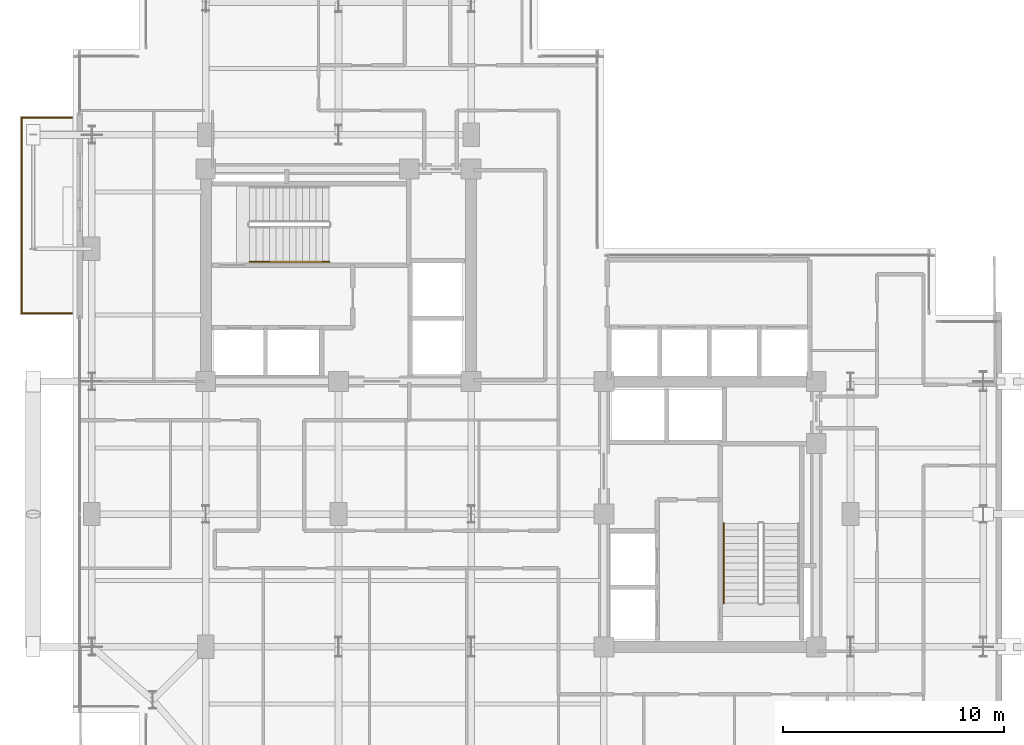
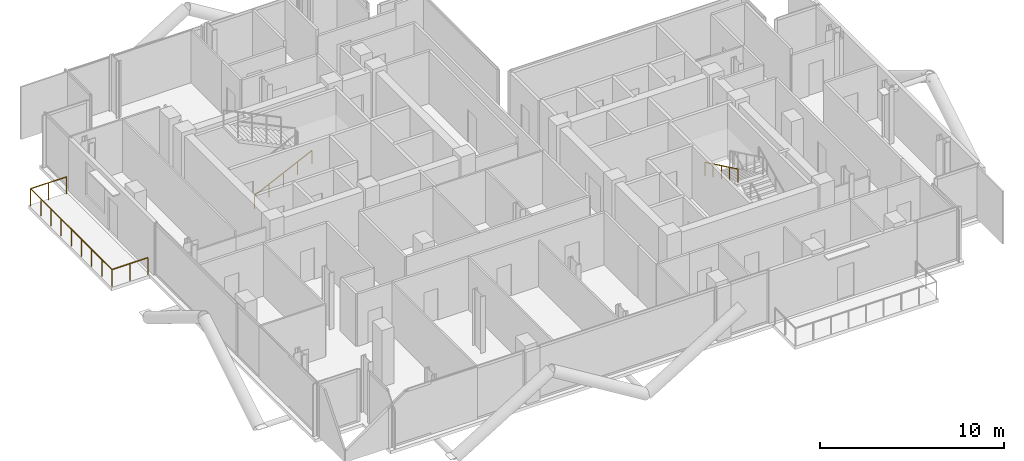
# One storey, part 24 of 26: 3 railings.
"""IFC4 building model written with IfcOpenShell, lengths in metres."""

from ifc_helpers import new_model, si_unit, direction, frame, origin, origin_2d, place, context, subcontext, project, spatial, rectangle, extrude, material, type_object, element, save


model = new_model("IFC4")

# Units and contexts
model_context = context("Model", 3, precision=1e-05, world=origin(), true_north=direction((0.0, 1.0)))
body_context = subcontext(model_context, "Body", "Model", "MODEL_VIEW")
ifc_project = project(units=[si_unit("LENGTHUNIT", "METRE"), si_unit("AREAUNIT", "SQUARE_METRE"), si_unit("VOLUMEUNIT", "CUBIC_METRE"), si_unit("PLANEANGLEUNIT", "RADIAN"), si_unit("MASSUNIT", "GRAM", prefix="KILO"), si_unit("THERMODYNAMICTEMPERATUREUNIT", "KELVIN"), si_unit("POWERUNIT", "WATT")], contexts=[model_context])

# Site, building, storey
site_placement = place(None, origin())
site = spatial("IfcSite", under=ifc_project, at=site_placement, CompositionType="ELEMENT")
building_placement = place(site_placement, origin())
building = spatial("IfcBuilding", under=site, at=building_placement, Name="Svarakhadi Broadcast Tower", CompositionType="ELEMENT")
storey_placement = place(building_placement, frame((0.0, 0.0, 195.449951171875)))
storey = spatial("IfcBuildingStorey", under=building, at=storey_placement, Name="L48", CompositionType="ELEMENT", Elevation=195.449951171875)

# Railings
ifc_material_1 = material(Name="Laminated Structural SentryGlas Balustrade 25.5 mm", Category="glass")
railing_type_1 = type_object("IfcRailingType", Name="Guard_Balcony_GR01", PredefinedType="BALUSTRADE", material=ifc_material_1)
railing_1_placement = place(storey_placement, frame((-0.06005859375, 21.080078125, 0.0)))
element("IfcRailing", 1, at=railing_1_placement, inside=storey, type_object=railing_type_1, Name="L48 West Tree Balcony Guard GR-05", PredefinedType="BALUSTRADE", context=body_context, shape_type="SweptSolid", body=[
    extrude(rectangle(XDim=0.048095703125, YDim=0.048095703125, at=origin_2d()), frame((0.0, 0.0, 1.1259765625), z_axis=(-1.0, 0.0, 0.0), x_axis=(0.0, -1.0, 0.0)), (0.0, 0.0, 1.0), 2.260009765625),
    extrude(rectangle(XDim=0.048095703125, YDim=0.048095703125, at=origin_2d()), frame((-2.260009765625, 0.0, 1.1259765625), z_axis=(0.0, 1.0, 0.0), x_axis=(-1.0, 0.0, 0.0)), (0.0, 0.0, 1.0), 8.83984375),
    extrude(rectangle(XDim=0.048095703125, YDim=0.048095703125, at=origin_2d()), frame((-2.260009765625, 8.83984375, 1.1259765625), z_axis=(1.0, 0.0, 0.0), x_axis=(0.0, 1.0, 0.0)), (0.0, 0.0, 1.0), 2.260009765625),
    extrude(rectangle(XDim=0.0419921875, YDim=0.0419921875, at=origin_2d()), origin(), (0.0, 0.0, 1.0), 1.101806640625),
    extrude(rectangle(XDim=0.0419921875, YDim=0.0419921875, at=origin_2d()), frame((-1.1298828125, 0.0, 0.0)), (0.0, 0.0, 1.0), 1.101806640625),
    extrude(rectangle(XDim=0.0419921875, YDim=0.0419921875, at=origin_2d()), frame((-2.260009765625, 0.0, 0.0)), (0.0, 0.0, 1.0), 1.101806640625),
    extrude(rectangle(XDim=0.0419921875, YDim=0.0419921875, at=origin_2d()), frame((-2.260009765625, 1.10498046875, 0.0)), (0.0, 0.0, 1.0), 1.101806640625),
    extrude(rectangle(XDim=0.0419921875, YDim=0.0419921875, at=origin_2d()), frame((-2.260009765625, 2.2099609375, 0.0)), (0.0, 0.0, 1.0), 1.101806640625),
    extrude(rectangle(XDim=0.0419921875, YDim=0.0419921875, at=origin_2d()), frame((-2.260009765625, 3.31494140625, 0.0)), (0.0, 0.0, 1.0), 1.101806640625),
    extrude(rectangle(XDim=0.0419921875, YDim=0.0419921875, at=origin_2d()), frame((-2.260009765625, 4.419921875, 0.0)), (0.0, 0.0, 1.0), 1.101806640625),
    extrude(rectangle(XDim=0.0419921875, YDim=0.0419921875, at=origin_2d()), frame((-2.260009765625, 5.52490234375, 0.0)), (0.0, 0.0, 1.0), 1.101806640625),
    extrude(rectangle(XDim=0.0419921875, YDim=0.0419921875, at=origin_2d()), frame((-2.260009765625, 6.6298828125, 0.0)), (0.0, 0.0, 1.0), 1.101806640625),
    extrude(rectangle(XDim=0.0419921875, YDim=0.0419921875, at=origin_2d()), frame((-2.260009765625, 7.73486328125, 0.0)), (0.0, 0.0, 1.0), 1.101806640625),
    extrude(rectangle(XDim=0.0419921875, YDim=0.0419921875, at=origin_2d()), frame((-2.260009765625, 8.83984375, 0.0)), (0.0, 0.0, 1.0), 1.101806640625),
    extrude(rectangle(XDim=0.0419921875, YDim=0.0419921875, at=origin_2d()), frame((-1.1298828125, 8.83984375, 0.0)), (0.0, 0.0, 1.0), 1.101806640625),
    extrude(rectangle(XDim=0.0419921875, YDim=0.0419921875, at=origin_2d()), frame((0.0, 8.83984375, 0.0)), (0.0, 0.0, 1.0), 1.101806640625),
])
ifc_material_2 = material(Name="Anodised Bronze Aluminium AA 6063-T6", Category="aluminium")
railing_type_2 = type_object("IfcRailingType", Name="Handrail_Stair_HR01", PredefinedType="HANDRAIL", material=ifc_material_2)
railing_2_placement = place(storey_placement, frame((7.97998046875, 23.409912109375, 0.144287109375)))
element("IfcRailing", 2, at=railing_2_placement, inside=storey, type_object=railing_type_2, Name="L48 ST-01 stair handrail 1", PredefinedType="HANDRAIL", context=body_context, shape_type="SweptSolid", body=[
    extrude(rectangle(XDim=0.048095703125, YDim=0.048095703125, at=origin_2d()), frame((0.0, 0.0, 0.8759765625), z_axis=(0.901262522062, 0.0, 0.433273431364), x_axis=(0.0, 1.0, 0.0)), (0.0, 0.0, 1.0), 3.994384765625),
    extrude(rectangle(XDim=0.0419921875, YDim=0.0419921875, at=origin_2d()), origin(), (0.0, 0.0, 1.0), 0.851806640625),
    extrude(rectangle(XDim=0.0419921875, YDim=0.0419921875, at=origin_2d()), frame((0.89990234375, 0.0, 0.4326171875)), (0.0, 0.0, 1.0), 0.851806640625),
    extrude(rectangle(XDim=0.0419921875, YDim=0.0419921875, at=origin_2d()), frame((1.800048828125, 0.0, 0.865234375)), (0.0, 0.0, 1.0), 0.851806640625),
    extrude(rectangle(XDim=0.0419921875, YDim=0.0419921875, at=origin_2d()), frame((2.7001953125, 0.0, 1.298095703125)), (0.0, 0.0, 1.0), 0.851806640625),
    extrude(rectangle(XDim=0.0419921875, YDim=0.0419921875, at=origin_2d()), frame((3.60009765625, 0.0, 1.730712890625)), (0.0, 0.0, 1.0), 0.851806640625),
])
railing_3_placement = place(storey_placement, frame((29.409912109375, 11.580078125, 2.019287109375)))
element("IfcRailing", 3, at=railing_3_placement, inside=storey, type_object=railing_type_2, Name="L48 ST-02 stair handrail 2", PredefinedType="HANDRAIL", context=body_context, shape_type="SweptSolid", body=[
    extrude(rectangle(XDim=0.048095703125, YDim=0.048095703125, at=origin_2d()), frame((0.0, 0.0, 0.8759765625), z_axis=(0.0, -0.901262522062, 0.433273431364), x_axis=(1.0, 0.0, 0.0)), (0.0, 0.0, 1.0), 3.994384765625),
    extrude(rectangle(XDim=0.0419921875, YDim=0.0419921875, at=origin_2d()), origin(), (0.0, 0.0, 1.0), 0.851806640625),
    extrude(rectangle(XDim=0.0419921875, YDim=0.0419921875, at=origin_2d()), frame((0.0, -0.89990234375, 0.4326171875)), (0.0, 0.0, 1.0), 0.851806640625),
    extrude(rectangle(XDim=0.0419921875, YDim=0.0419921875, at=origin_2d()), frame((0.0, -1.800048828125, 0.865234375)), (0.0, 0.0, 1.0), 0.851806640625),
    extrude(rectangle(XDim=0.0419921875, YDim=0.0419921875, at=origin_2d()), frame((0.0, -2.7001953125, 1.298095703125)), (0.0, 0.0, 1.0), 0.851806640625),
    extrude(rectangle(XDim=0.0419921875, YDim=0.0419921875, at=origin_2d()), frame((0.0, -3.60009765625, 1.730712890625)), (0.0, 0.0, 1.0), 0.851806640625),
])

save(model, "model.ifc")
